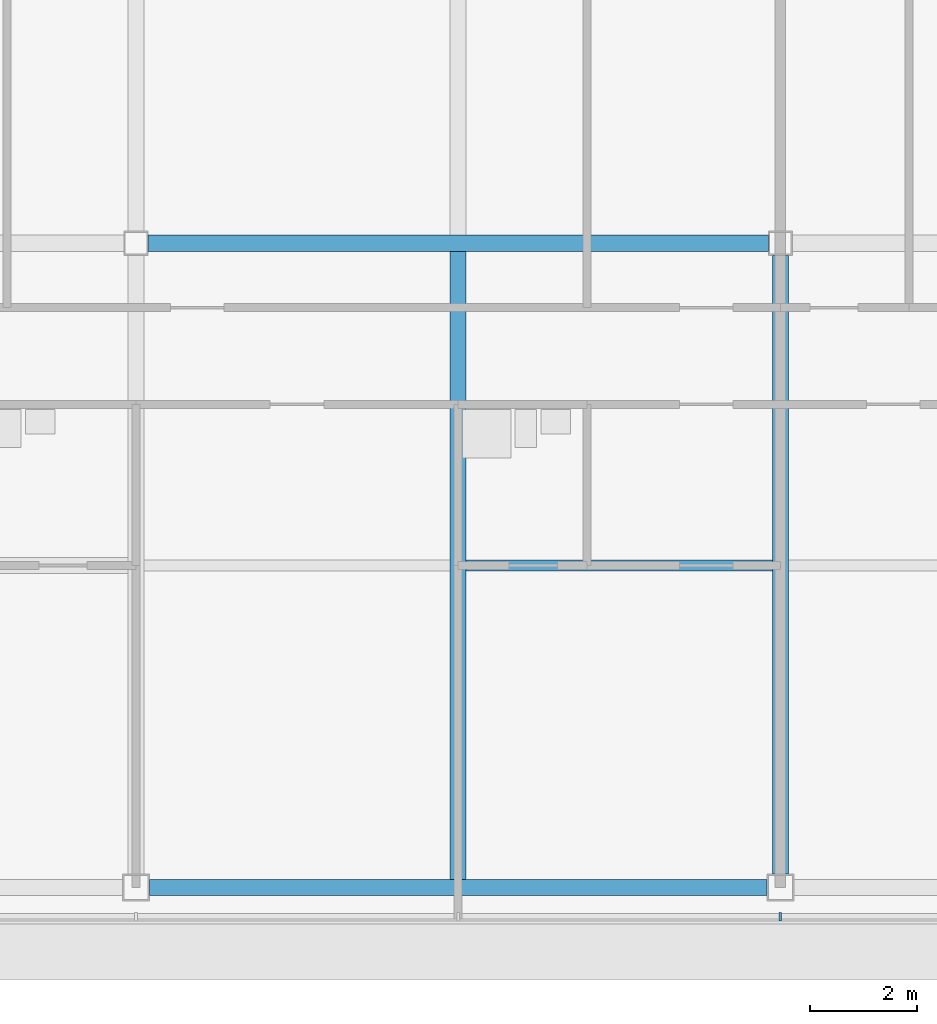
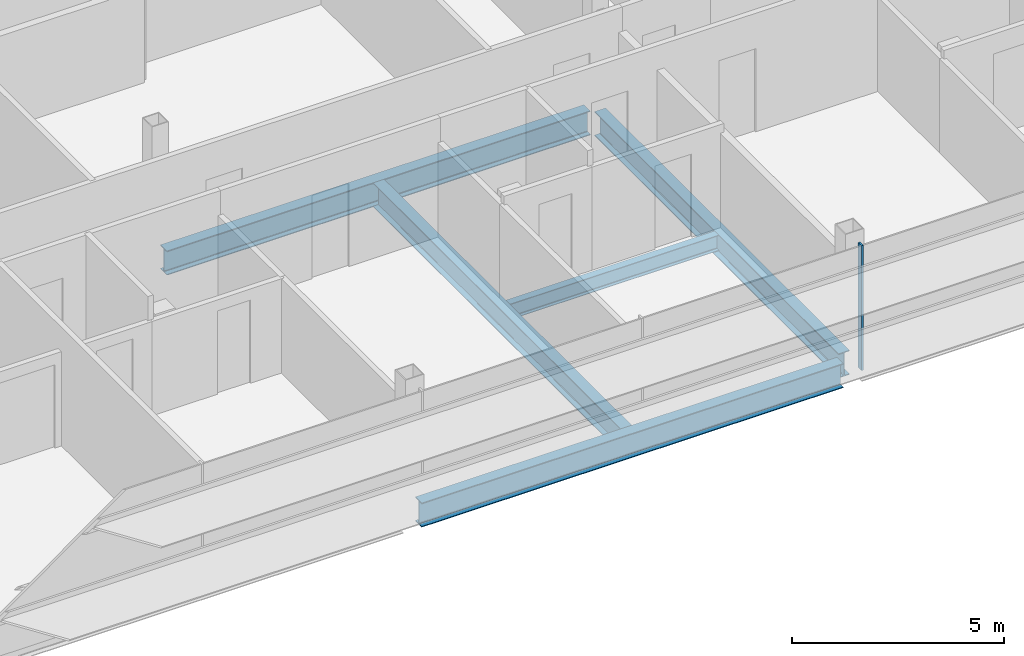
# One storey, part 5 of 28: 5 beams, 1 member, 1 element without a shape of its own.
"""IFC4 building model written with IfcOpenShell, lengths in metres."""

from ifc_helpers import new_model, si_unit, direction, frame, origin, origin_2d, place, context, subcontext, project, spatial, rectangle, i_section, extrude, material, material_profile, profile_set, type_object, element, aggregate, save


model = new_model("IFC4")

# Units and contexts
model_context = context("Model", 3, precision=1e-05, world=origin(), true_north=direction((0.0, 1.0)))
body_context = subcontext(model_context, "Body", "Model", "MODEL_VIEW")
ifc_project = project(units=[si_unit("LENGTHUNIT", "METRE"), si_unit("AREAUNIT", "SQUARE_METRE"), si_unit("VOLUMEUNIT", "CUBIC_METRE"), si_unit("PLANEANGLEUNIT", "RADIAN"), si_unit("MASSUNIT", "GRAM", prefix="KILO")], contexts=[model_context])

# Site, building, storey
site_placement = place(None, origin())
site = spatial("IfcSite", under=ifc_project, at=site_placement, CompositionType="ELEMENT")
building_placement = place(site_placement, origin())
building = spatial("IfcBuilding", under=site, at=building_placement, Name="Sorahane Residences", CompositionType="ELEMENT")
storey_placement = place(building_placement, frame((0.0, 0.0, 308.800048828125)))
storey = spatial("IfcBuildingStorey", under=building, at=storey_placement, Name="L73", CompositionType="ELEMENT", Elevation=308.800048828125)

# Curtain wall, member
ifc_material_1 = material(Name="Dark low-e glass and black anodised aluminium", Category="aluminium")
curtain_wall_type = type_object("IfcCurtainWallType", Name="Curtain wall CW-1 Typical unitised wall", PredefinedType="NOTDEFINED", material=ifc_material_1)
curtain_wall_placement = place(storey_placement, origin())
curtain_wall = element("IfcCurtainWall", 1, at=curtain_wall_placement, inside=storey, type_object=curtain_wall_type, Name="CW-1 curtain wall L73 S1", PredefinedType="NOTDEFINED")
ifc_material_2 = material(Name="Black anodised aluminium", Category="aluminium")
ifc_material_profile_1 = material_profile(ifc_material_2, rectangle(XDim=0.159912109375, YDim=0.050048828125, at=origin_2d()), Name="Curtain wall mullion CW-1 black anodised aluminium 50x160")
ifc_profile_set_1 = profile_set([ifc_material_profile_1], Name="Black anodised aluminium")
member_type = type_object("IfcMemberType", Name="Curtain wall mullion CW-1 black anodised aluminium 50x160", PredefinedType="MULLION", material=ifc_profile_set_1)
member_placement = place(storey_placement, frame((12.0, -0.5400390625, -0.179931640625), z_axis=(0.0, 0.0, 1.0), x_axis=(0.0, -1.0, 0.0)))
member = element("IfcMember", 2, at=member_placement, type_object=member_type, Name="CW-1 mullion L73 S1.5", PredefinedType="MULLION", context=body_context, shape_type="SweptSolid", body=[
    extrude(rectangle(XDim=0.159912109375, YDim=0.050048828125, at=origin_2d()), origin(), (0.0, 0.0, 1.0), 3.599853515625),
])
aggregate(curtain_wall, [member])

# Beams
ifc_material_3 = material(Name="Steel Q355B", Category="steel")
ifc_material_profile_2 = material_profile(ifc_material_3, i_section(OverallWidth=0.199951171875, OverallDepth=0.449951171875, WebThickness=0.009033203125, FlangeThickness=0.013916015625, FilletRadius=0.02001953125, at=origin_2d()), Name="HN 450x200x9x14")
ifc_profile_set_2 = profile_set([ifc_material_profile_2], Name="Steel Q355B")
beam_type_1 = type_object("IfcBeamType", Name="Steel floor beam HN 450x200x9x14 Q355B", PredefinedType="BEAM", material=ifc_profile_set_2)
beam_1_placement = place(storey_placement, frame((6.14990234375, 6.0, -0.405029296875), z_axis=(1.0, 0.0, 0.0), x_axis=(0.0, 1.0, 0.0)))
element("IfcBeam", 3, at=beam_1_placement, inside=storey, type_object=beam_type_1, Name="Beam L73 069", PredefinedType="BEAM", context=body_context, shape_type="SweptSolid", body=[
    extrude(i_section(OverallWidth=0.199951171875, OverallDepth=0.449951171875, WebThickness=0.009033203125, FlangeThickness=0.013916015625, FilletRadius=0.02001953125, at=origin_2d()), origin(), (0.0, 0.0, 1.0), 5.7001953125),
])
ifc_material_4 = material(Name="Steel Q355B", Category="steel")
ifc_material_profile_3 = material_profile(ifc_material_4, i_section(OverallWidth=0.300048828125, OverallDepth=0.699951171875, WebThickness=0.012939453125, FlangeThickness=0.02392578125, FilletRadius=0.028076171875, at=origin_2d()), Name="HN 700x300x13x24")
ifc_profile_set_3 = profile_set([ifc_material_profile_3], Name="Steel Q355B")
beam_type_2 = type_object("IfcBeamType", Name="Steel floor beam HN 700x300x13x24 Q355B", PredefinedType="BEAM", material=ifc_profile_set_3)
beam_2_placement = place(storey_placement, frame((0.25, 0.0, -0.530029296875), z_axis=(1.0, 0.0, 0.0), x_axis=(0.0, 1.0, 0.0)))
element("IfcBeam", 4, at=beam_2_placement, inside=storey, type_object=beam_type_2, Name="Beam L73 001", PredefinedType="BEAM", context=body_context, shape_type="SweptSolid", body=[
    extrude(i_section(OverallWidth=0.300048828125, OverallDepth=0.699951171875, WebThickness=0.012939453125, FlangeThickness=0.02392578125, FilletRadius=0.028076171875, at=origin_2d()), origin(), (0.0, 0.0, 1.0), 11.5),
])
beam_3_placement = place(storey_placement, frame((0.22509765625, 12.0, -0.530029296875), z_axis=(1.0, 0.0, 0.0), x_axis=(0.0, 1.0, 0.0)))
element("IfcBeam", 5, at=beam_3_placement, inside=storey, type_object=beam_type_2, Name="Beam L73 007", PredefinedType="BEAM", context=body_context, shape_type="SweptSolid", body=[
    extrude(i_section(OverallWidth=0.300048828125, OverallDepth=0.699951171875, WebThickness=0.012939453125, FlangeThickness=0.02392578125, FilletRadius=0.028076171875, at=origin_2d()), origin(), (0.0, 0.0, 1.0), 11.5498046875),
])
beam_4_placement = place(storey_placement, frame((6.0, 0.14990234375, -0.530029296875), z_axis=(0.0, 1.0, 0.0), x_axis=(-1.0, 0.0, 0.0)))
element("IfcBeam", 6, at=beam_4_placement, inside=storey, type_object=beam_type_2, Name="Beam L73 032", PredefinedType="BEAM", context=body_context, shape_type="SweptSolid", body=[
    extrude(i_section(OverallWidth=0.300048828125, OverallDepth=0.699951171875, WebThickness=0.012939453125, FlangeThickness=0.02392578125, FilletRadius=0.028076171875, at=origin_2d()), origin(), (0.0, 0.0, 1.0), 11.7001953125),
])
beam_5_placement = place(storey_placement, frame((12.0, 0.25, -0.530029296875), z_axis=(0.0, 1.0, 0.0), x_axis=(-1.0, 0.0, 0.0)))
element("IfcBeam", 7, at=beam_5_placement, inside=storey, type_object=beam_type_2, Name="Beam L73 038", PredefinedType="BEAM", context=body_context, shape_type="SweptSolid", body=[
    extrude(i_section(OverallWidth=0.300048828125, OverallDepth=0.699951171875, WebThickness=0.012939453125, FlangeThickness=0.02392578125, FilletRadius=0.028076171875, at=origin_2d()), origin(), (0.0, 0.0, 1.0), 11.52490234375),
])

save(model, "model.ifc")
